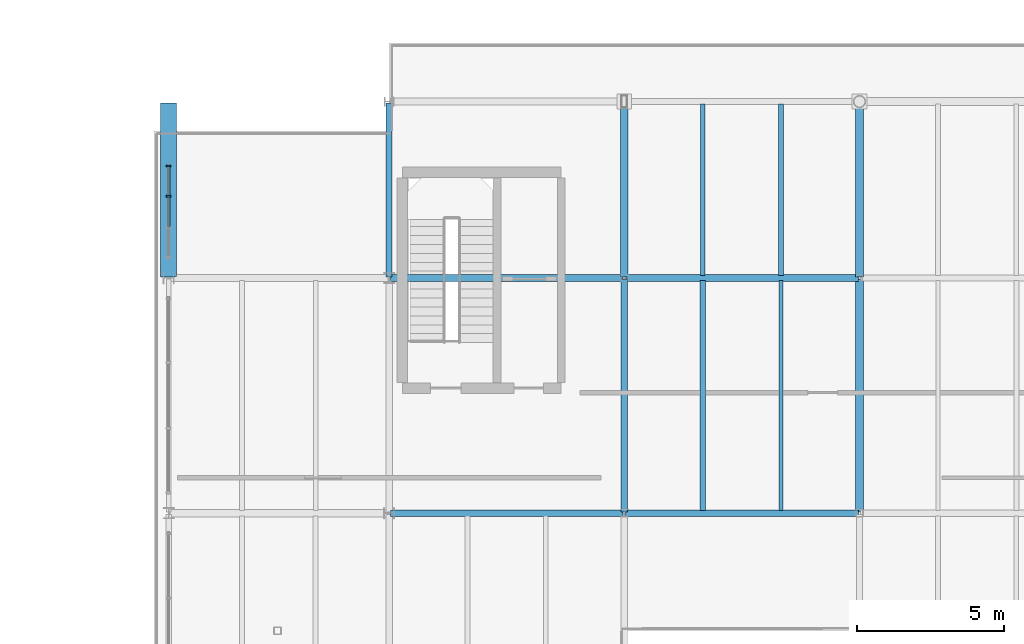
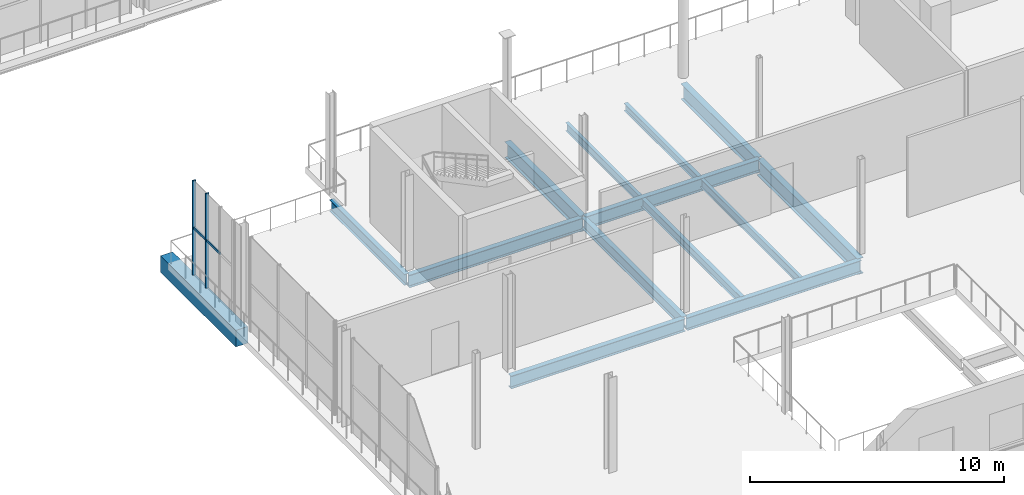
# One storey, part 34 of 93: 14 beams, 4 members, 1 element without a shape of its own.
"""IFC4 building model written with IfcOpenShell, lengths in metres."""

from ifc_helpers import new_model, si_unit, direction, frame, origin, origin_2d, place, context, subcontext, project, spatial, rectangle, i_section, extrude, material, material_profile, profile_set, type_object, element, aggregate, save


model = new_model("IFC4")

# Units and contexts
model_context = context("Model", 3, precision=1e-05, world=origin(), true_north=direction((0.0, 1.0)))
body_context = subcontext(model_context, "Body", "Model", "MODEL_VIEW")
ifc_project = project(units=[si_unit("LENGTHUNIT", "METRE"), si_unit("AREAUNIT", "SQUARE_METRE"), si_unit("VOLUMEUNIT", "CUBIC_METRE"), si_unit("PLANEANGLEUNIT", "RADIAN"), si_unit("MASSUNIT", "GRAM", prefix="KILO")], contexts=[model_context])

# Site, building, storey
site_placement = place(None, origin())
site = spatial("IfcSite", under=ifc_project, at=site_placement, CompositionType="ELEMENT")
building_placement = place(site_placement, origin())
building = spatial("IfcBuilding", under=site, at=building_placement, Name="Brisemont Oceanarium", CompositionType="ELEMENT")
storey_placement = place(building_placement, frame((0.0, 0.0, 5.39990234375)))
storey = spatial("IfcBuildingStorey", under=building, at=storey_placement, Name="L01", CompositionType="ELEMENT", Elevation=5.39990234375)

# Beams
ifc_material_1 = material(Name="Concrete C40/50", Category="concrete")
ifc_material_profile_1 = material_profile(ifc_material_1, rectangle(XDim=0.550048828125, YDim=0.800048828125, at=origin_2d()), Name="RC-BM-550X800")
ifc_profile_set_1 = profile_set([ifc_material_profile_1], Name="Concrete C40/50")
beam_type_1 = type_object("IfcBeamType", Name="BM-RC550X800", PredefinedType="SPANDREL", material=ifc_profile_set_1)
beam_1_placement = place(storey_placement, frame((16.5, 60.0400390625, -0.699951171875), z_axis=(0.0, 1.0, 0.0), x_axis=(-1.0, 0.0, 0.0)))
element("IfcBeam", 1, at=beam_1_placement, inside=storey, type_object=beam_type_1, Name="V5W L01 NS girder", PredefinedType="SPANDREL", context=body_context, shape_type="SweptSolid", body=[
    extrude(rectangle(XDim=0.550048828125, YDim=0.800048828125, at=origin_2d()), origin(), (0.0, 0.0, 1.0), 5.919921875),
])
ifc_material_2 = material(Name="Structural Steel ASTM A992 Gr.50", Category="steel")
ifc_material_profile_2 = material_profile(ifc_material_2, i_section(OverallWidth=0.1708984375, OverallDepth=0.35107421875, WebThickness=0.0068359375, FlangeThickness=0.009765625, FilletRadius=0.010009765625, at=origin_2d()), Name="W14X30")
ifc_profile_set_2 = profile_set([ifc_material_profile_2], Name="Structural Steel ASTM A992 Gr.50")
beam_type_2 = type_object("IfcBeamType", Name="BM-W14X30", PredefinedType="JOIST", material=ifc_profile_set_2)
beam_2_placement = place(storey_placement, frame((37.333251953125, 60.090087890625, -0.475341796875), z_axis=(0.0, 1.0, 0.0), x_axis=(-1.0, 0.0, 0.0)))
element("IfcBeam", 2, at=beam_2_placement, inside=storey, type_object=beam_type_2, Name="V5W L01 secondary floor beam", PredefinedType="JOIST", context=body_context, shape_type="SweptSolid", body=[
    extrude(i_section(OverallWidth=0.1708984375, OverallDepth=0.35107421875, WebThickness=0.0068359375, FlangeThickness=0.009765625, FilletRadius=0.010009765625, at=origin_2d()), origin(), (0.0, 0.0, 1.0), 5.81982421875),
])
ifc_material_3 = material(Name="Structural Steel ASTM A992 Gr.50", Category="steel")
ifc_material_profile_3 = material_profile(ifc_material_3, i_section(OverallWidth=0.139892578125, OverallDepth=0.39892578125, WebThickness=0.00634765625, FlangeThickness=0.0087890625, FilletRadius=0.010009765625, at=origin_2d()), Name="W16X26")
ifc_profile_set_3 = profile_set([ifc_material_profile_3], Name="Structural Steel ASTM A992 Gr.50")
beam_type_3 = type_object("IfcBeamType", Name="BM-W16X26", PredefinedType="JOIST", material=ifc_profile_set_3)
beam_3_placement = place(storey_placement, frame((37.333251953125, 52.090087890625, -0.49951171875), z_axis=(0.0, 1.0, 0.0), x_axis=(-1.0, 0.0, 0.0)))
element("IfcBeam", 3, at=beam_3_placement, inside=storey, type_object=beam_type_3, Name="V5W L01 secondary floor beam", PredefinedType="JOIST", context=body_context, shape_type="SweptSolid", body=[
    extrude(i_section(OverallWidth=0.139892578125, OverallDepth=0.39892578125, WebThickness=0.00634765625, FlangeThickness=0.0087890625, FilletRadius=0.010009765625, at=origin_2d()), origin(), (0.0, 0.0, 1.0), 7.81982421875),
])
beam_4_placement = place(storey_placement, frame((34.666748046875, 60.090087890625, -0.49951171875), z_axis=(0.0, 1.0, 0.0), x_axis=(-1.0, 0.0, 0.0)))
element("IfcBeam", 4, at=beam_4_placement, inside=storey, type_object=beam_type_3, Name="V5W L01 secondary floor beam", PredefinedType="JOIST", context=body_context, shape_type="SweptSolid", body=[
    extrude(i_section(OverallWidth=0.139892578125, OverallDepth=0.39892578125, WebThickness=0.00634765625, FlangeThickness=0.0087890625, FilletRadius=0.010009765625, at=origin_2d()), origin(), (0.0, 0.0, 1.0), 5.81982421875),
])
ifc_material_4 = material(Name="Structural Steel ASTM A992 Gr.50", Category="steel")
ifc_material_profile_4 = material_profile(ifc_material_4, i_section(OverallWidth=0.177978515625, OverallDepth=0.404052734375, WebThickness=0.007568359375, FlangeThickness=0.010986328125, FilletRadius=0.010009765625, at=origin_2d()), Name="W16X36")
ifc_profile_set_4 = profile_set([ifc_material_profile_4], Name="Structural Steel ASTM A992 Gr.50")
beam_type_4 = type_object("IfcBeamType", Name="BM-W16X36", PredefinedType="JOIST", material=ifc_profile_set_4)
beam_5_placement = place(storey_placement, frame((34.666748046875, 52.090087890625, -0.501953125), z_axis=(0.0, 1.0, 0.0), x_axis=(-1.0, 0.0, 0.0)))
element("IfcBeam", 5, at=beam_5_placement, inside=storey, type_object=beam_type_4, Name="V5W L01 secondary floor beam", PredefinedType="JOIST", context=body_context, shape_type="SweptSolid", body=[
    extrude(i_section(OverallWidth=0.177978515625, OverallDepth=0.404052734375, WebThickness=0.007568359375, FlangeThickness=0.010986328125, FilletRadius=0.010009765625, at=origin_2d()), origin(), (0.0, 0.0, 1.0), 7.81982421875),
])
ifc_material_5 = material(Name="Structural Steel ASTM A992 Gr.50", Category="steel")
ifc_material_profile_5 = material_profile(ifc_material_5, i_section(OverallWidth=0.2099609375, OverallDepth=0.532958984375, WebThickness=0.01025390625, FlangeThickness=0.015625, FilletRadius=0.012939453125, at=origin_2d()), Name="W21X62")
ifc_profile_set_5 = profile_set([ifc_material_profile_5], Name="Structural Steel ASTM A992 Gr.50")
beam_type_5 = type_object("IfcBeamType", Name="BM-W21X62", PredefinedType="BEAM", material=ifc_profile_set_5)
beam_6_placement = place(storey_placement, frame((24.0, 60.0400390625, -0.56640625), z_axis=(0.0, 1.0, 0.0), x_axis=(-1.0, 0.0, 0.0)))
element("IfcBeam", 6, at=beam_6_placement, inside=storey, type_object=beam_type_5, Name="V5W L01 NS girder", PredefinedType="BEAM", context=body_context, shape_type="SweptSolid", body=[
    extrude(i_section(OverallWidth=0.2099609375, OverallDepth=0.532958984375, WebThickness=0.01025390625, FlangeThickness=0.015625, FilletRadius=0.012939453125, at=origin_2d()), origin(), (0.0, 0.0, 1.0), 5.919921875),
])
beam_7_placement = place(storey_placement, frame((32.0, 52.0400390625, -0.56640625), z_axis=(0.0, 1.0, 0.0), x_axis=(-1.0, 0.0, 0.0)))
element("IfcBeam", 7, at=beam_7_placement, inside=storey, type_object=beam_type_5, Name="V5W L01 NS girder", PredefinedType="BEAM", context=body_context, shape_type="SweptSolid", body=[
    extrude(i_section(OverallWidth=0.2099609375, OverallDepth=0.532958984375, WebThickness=0.01025390625, FlangeThickness=0.015625, FilletRadius=0.012939453125, at=origin_2d()), origin(), (0.0, 0.0, 1.0), 7.919921875),
])
ifc_material_6 = material(Name="Structural Steel ASTM A992 Gr.50", Category="steel")
ifc_material_profile_6 = material_profile(ifc_material_6, i_section(OverallWidth=0.22802734375, OverallDepth=0.60205078125, WebThickness=0.010498046875, FlangeThickness=0.014892578125, FilletRadius=0.012939453125, at=origin_2d()), Name="W24X68")
ifc_profile_set_6 = profile_set([ifc_material_profile_6], Name="Structural Steel ASTM A992 Gr.50")
beam_type_6 = type_object("IfcBeamType", Name="BM-W24X68", PredefinedType="BEAM", material=ifc_profile_set_6)
beam_8_placement = place(storey_placement, frame((32.0400390625, 60.0, -0.600830078125), z_axis=(1.0, 0.0, 0.0), x_axis=(0.0, 1.0, 0.0)))
element("IfcBeam", 8, at=beam_8_placement, inside=storey, type_object=beam_type_6, Name="V5W L01 EW girder", PredefinedType="BEAM", context=body_context, shape_type="SweptSolid", body=[
    extrude(i_section(OverallWidth=0.22802734375, OverallDepth=0.60205078125, WebThickness=0.010498046875, FlangeThickness=0.014892578125, FilletRadius=0.012939453125, at=origin_2d()), origin(), (0.0, 0.0, 1.0), 7.919921875),
])
ifc_material_7 = material(Name="Structural Steel ASTM A992 Gr.50", Category="steel")
ifc_material_profile_7 = material_profile(ifc_material_7, i_section(OverallWidth=0.22802734375, OverallDepth=0.60791015625, WebThickness=0.01123046875, FlangeThickness=0.017333984375, FilletRadius=0.012939453125, at=origin_2d()), Name="W24X76")
ifc_profile_set_7 = profile_set([ifc_material_profile_7], Name="Structural Steel ASTM A992 Gr.50")
beam_type_7 = type_object("IfcBeamType", Name="BM-W24X76", PredefinedType="BEAM", material=ifc_profile_set_7)
for number, where, z_axis, x_axis, name in (
    (9, (32.0400390625, 52.0, -0.60400390625), (1.0, 0.0, 0.0), (0.0, 1.0, 0.0), "V5W L01 EW girder"),
    (10, (24.0400390625, 60.0, -0.60400390625), (1.0, 0.0, 0.0), (0.0, 1.0, 0.0), "V5W L01 EW girder"),
):
    element("IfcBeam", number, at=place(storey_placement, frame(where, z_axis=z_axis, x_axis=x_axis)), inside=storey, type_object=beam_type_7, Name=name, PredefinedType="BEAM", context=body_context, shape_type="SweptSolid", body=[
        extrude(i_section(OverallWidth=0.22802734375, OverallDepth=0.60791015625, WebThickness=0.01123046875, FlangeThickness=0.017333984375, FilletRadius=0.012939453125, at=origin_2d()), origin(), (0.0, 0.0, 1.0), 7.919921875),
    ])
ifc_material_8 = material(Name="Structural Steel ASTM A992 Gr.50", Category="steel")
ifc_material_profile_8 = material_profile(ifc_material_8, i_section(OverallWidth=0.22900390625, OverallDepth=0.612060546875, WebThickness=0.011962890625, FlangeThickness=0.01953125, FilletRadius=0.012939453125, at=origin_2d()), Name="W24X84")
ifc_profile_set_8 = profile_set([ifc_material_profile_8], Name="Structural Steel ASTM A992 Gr.50")
beam_type_8 = type_object("IfcBeamType", Name="BM-W24X84", PredefinedType="BEAM", material=ifc_profile_set_8)
beam_9_placement = place(storey_placement, frame((24.0400390625, 52.0, -0.60595703125), z_axis=(1.0, 0.0, 0.0), x_axis=(0.0, 1.0, 0.0)))
element("IfcBeam", 11, at=beam_9_placement, inside=storey, type_object=beam_type_8, Name="V5W L01 EW girder", PredefinedType="BEAM", context=body_context, shape_type="SweptSolid", body=[
    extrude(i_section(OverallWidth=0.22900390625, OverallDepth=0.612060546875, WebThickness=0.011962890625, FlangeThickness=0.01953125, FilletRadius=0.012939453125, at=origin_2d()), origin(), (0.0, 0.0, 1.0), 7.919921875),
])
ifc_material_9 = material(Name="Structural Steel ASTM A992 Gr.50", Category="steel")
ifc_material_profile_9 = material_profile(ifc_material_9, i_section(OverallWidth=0.26708984375, OverallDepth=0.761962890625, WebThickness=0.014404296875, FlangeThickness=0.021484375, FilletRadius=0.01611328125, at=origin_2d()), Name="W30X116")
ifc_profile_set_9 = profile_set([ifc_material_profile_9], Name="Structural Steel ASTM A992 Gr.50")
beam_type_9 = type_object("IfcBeamType", Name="BM-W30X116", PredefinedType="BEAM", material=ifc_profile_set_9)
beam_10_placement = place(storey_placement, frame((32.0, 60.0400390625, -0.680908203125), z_axis=(0.0, 1.0, 0.0), x_axis=(-1.0, 0.0, 0.0)))
element("IfcBeam", 12, at=beam_10_placement, inside=storey, type_object=beam_type_9, Name="V5W L01 NS girder", PredefinedType="BEAM", context=body_context, shape_type="SweptSolid", body=[
    extrude(i_section(OverallWidth=0.26708984375, OverallDepth=0.761962890625, WebThickness=0.014404296875, FlangeThickness=0.021484375, FilletRadius=0.01611328125, at=origin_2d()), origin(), (0.0, 0.0, 1.0), 5.919921875),
])
beam_11_placement = place(storey_placement, frame((40.0, 52.0400390625, -0.680908203125), z_axis=(0.0, 1.0, 0.0), x_axis=(-1.0, 0.0, 0.0)))
element("IfcBeam", 13, at=beam_11_placement, inside=storey, type_object=beam_type_9, Name="V5W L01 NS girder", PredefinedType="BEAM", context=body_context, shape_type="SweptSolid", body=[
    extrude(i_section(OverallWidth=0.26708984375, OverallDepth=0.761962890625, WebThickness=0.014404296875, FlangeThickness=0.021484375, FilletRadius=0.01611328125, at=origin_2d()), origin(), (0.0, 0.0, 1.0), 7.919921875),
])
ifc_material_10 = material(Name="Structural Steel ASTM A992 Gr.50", Category="steel")
ifc_material_profile_10 = material_profile(ifc_material_10, i_section(OverallWidth=0.264892578125, OverallDepth=0.7529296875, WebThickness=0.01318359375, FlangeThickness=0.01708984375, FilletRadius=0.01611328125, at=origin_2d()), Name="W30X99")
ifc_profile_set_10 = profile_set([ifc_material_profile_10], Name="Structural Steel ASTM A992 Gr.50")
beam_type_10 = type_object("IfcBeamType", Name="BM-W30X99", PredefinedType="BEAM", material=ifc_profile_set_10)
beam_12_placement = place(storey_placement, frame((40.0, 60.0400390625, -0.676513671875), z_axis=(0.0, 1.0, 0.0), x_axis=(-1.0, 0.0, 0.0)))
element("IfcBeam", 14, at=beam_12_placement, inside=storey, type_object=beam_type_10, Name="V5W L01 NS girder", PredefinedType="BEAM", context=body_context, shape_type="SweptSolid", body=[
    extrude(i_section(OverallWidth=0.264892578125, OverallDepth=0.7529296875, WebThickness=0.01318359375, FlangeThickness=0.01708984375, FilletRadius=0.01611328125, at=origin_2d()), origin(), (0.0, 0.0, 1.0), 5.919921875),
])

# Curtain wall, members
ifc_material_11 = material(Name="Anodized Extruded Aluminum 6063-T6", Category="aluminium")
curtain_wall_type = type_object("IfcCurtainWallType", Name="CW-GAL-61X43", PredefinedType="NOTDEFINED", material=ifc_material_11)
curtain_wall_placement = place(storey_placement, origin())
curtain_wall = element("IfcCurtainWall", 15, at=curtain_wall_placement, inside=storey, type_object=curtain_wall_type, Name="CW-13 curtain wall CW-V5W-W-L01-04", PredefinedType="NOTDEFINED")
ifc_material_12 = material(Name="Anodized Extruded Aluminum 6063-T6", Category="aluminium")
ifc_material_profile_11 = material_profile(ifc_material_12, rectangle(XDim=0.06005859375, YDim=0.14990234375, at=origin_2d()), Name="CWM-60X150")
ifc_profile_set_11 = profile_set([ifc_material_profile_11], Name="Anodized Extruded Aluminum 6063-T6")
member_type_1 = type_object("IfcMemberType", Name="MEM-CWM-60", PredefinedType="MULLION", material=ifc_profile_set_11)
member_1_placement = place(storey_placement, frame((16.5, 62.783203125, 0.0), z_axis=(0.0, 0.0, 1.0), x_axis=(0.0, 1.0, 0.0)))
member_1 = element("IfcMember", 16, at=member_1_placement, type_object=member_type_1, Name="CW-V5W-W-L01-04 mullion 3", PredefinedType="MULLION", context=body_context, shape_type="SweptSolid", body=[
    extrude(rectangle(XDim=0.06005859375, YDim=0.14990234375, at=origin_2d()), origin(), (0.0, 0.0, 1.0), 4.5400390625),
])
member_2_placement = place(storey_placement, frame((16.5, 63.804931640625, 0.0), z_axis=(0.0, 0.0, 1.0), x_axis=(0.0, 1.0, 0.0)))
member_2 = element("IfcMember", 17, at=member_2_placement, type_object=member_type_1, Name="CW-V5W-W-L01-04 mullion 4", PredefinedType="MULLION", context=body_context, shape_type="SweptSolid", body=[
    extrude(rectangle(XDim=0.06005859375, YDim=0.14990234375, at=origin_2d()), origin(), (0.0, 0.0, 1.0), 4.5400390625),
])
ifc_material_13 = material(Name="Anodized Extruded Aluminum 6063-T6", Category="aluminium")
ifc_material_profile_12 = material_profile(ifc_material_13, rectangle(XDim=0.06005859375, YDim=0.1201171875, at=origin_2d()), Name="CWT-60X120")
ifc_profile_set_12 = profile_set([ifc_material_profile_12], Name="Anodized Extruded Aluminum 6063-T6")
member_type_2 = type_object("IfcMemberType", Name="MEM-CWT-60", PredefinedType="USERDEFINED", material=ifc_profile_set_12)
member_3_placement = place(storey_placement, frame((16.5, 61.731689453125, 2.27001953125), z_axis=(0.0, 1.0, 0.0), x_axis=(-1.0, 0.0, 0.0)))
member_3 = element("IfcMember", 18, at=member_3_placement, type_object=member_type_2, Name="CW-V5W-W-L01-04 transom 2.1", ObjectType="TRANSOM", PredefinedType="USERDEFINED", context=body_context, shape_type="SweptSolid", body=[
    extrude(rectangle(XDim=0.06005859375, YDim=0.1201171875, at=origin_2d()), origin(), (0.0, 0.0, 1.0), 1.03662109375),
])
member_4_placement = place(storey_placement, frame((16.5, 62.79833984375, 2.27001953125), z_axis=(0.0, 1.0, 0.0), x_axis=(-1.0, 0.0, 0.0)))
member_4 = element("IfcMember", 19, at=member_4_placement, type_object=member_type_2, Name="CW-V5W-W-L01-04 transom 3.1", ObjectType="TRANSOM", PredefinedType="USERDEFINED", context=body_context, shape_type="SweptSolid", body=[
    extrude(rectangle(XDim=0.06005859375, YDim=0.1201171875, at=origin_2d()), origin(), (0.0, 0.0, 1.0), 1.03662109375),
])
aggregate(curtain_wall, [member_1, member_2, member_3, member_4])

save(model, "model.ifc")
